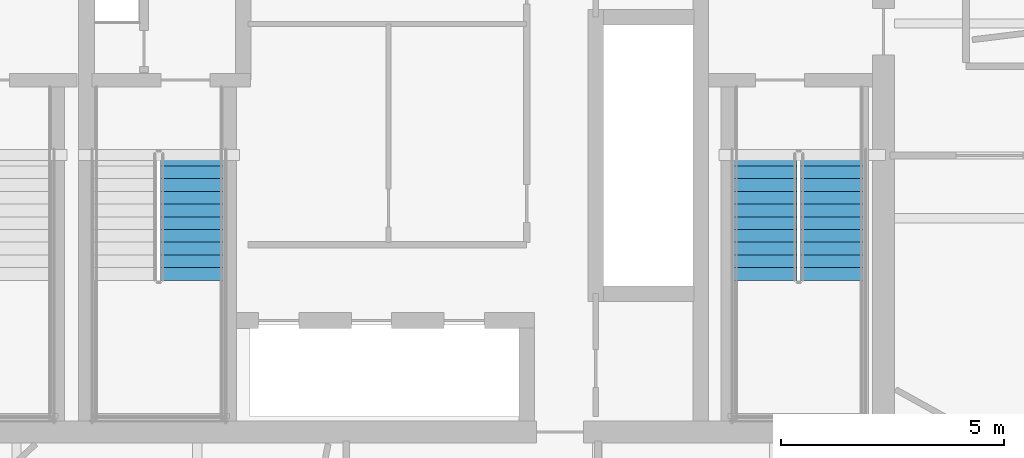
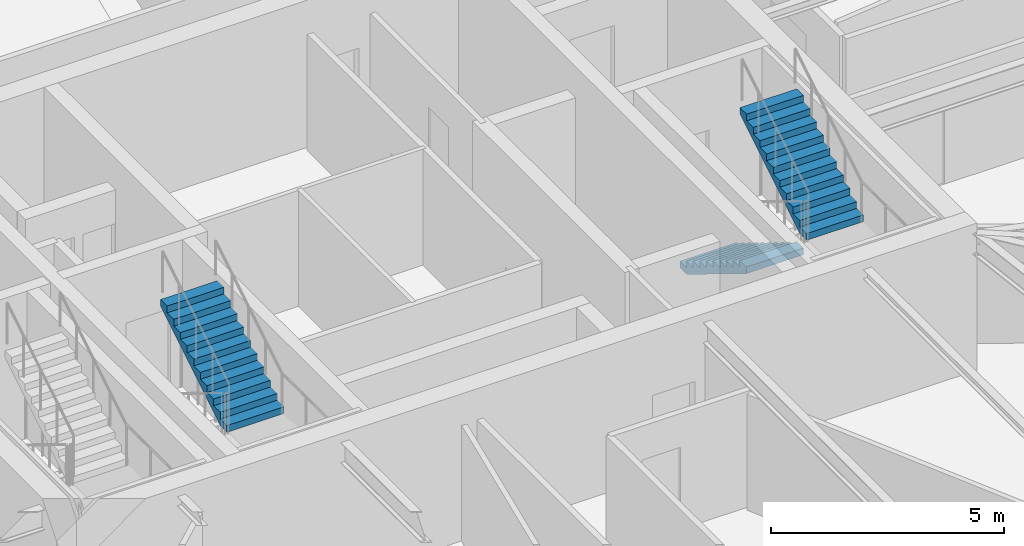
# One storey, part 18 of 22: 3 stair flights, 2 elements without a shape of their own.
"""IFC4 building model written with IfcOpenShell, lengths in metres."""

from ifc_helpers import new_model, si_unit, direction, frame, origin, place, context, subcontext, project, spatial, polyline, outline, extrude, material, type_object, element, aggregate, save


model = new_model("IFC4")

# Units and contexts
model_context = context("Model", 3, precision=1e-05, world=origin(), true_north=direction((0.0, 1.0)))
body_context = subcontext(model_context, "Body", "Model", "MODEL_VIEW")
ifc_project = project(units=[si_unit("LENGTHUNIT", "METRE"), si_unit("AREAUNIT", "SQUARE_METRE"), si_unit("VOLUMEUNIT", "CUBIC_METRE"), si_unit("PLANEANGLEUNIT", "RADIAN"), si_unit("MASSUNIT", "GRAM", prefix="KILO")], contexts=[model_context])

# Site, building, storey
site_placement = place(None, origin())
site = spatial("IfcSite", under=ifc_project, at=site_placement, CompositionType="ELEMENT")
building_placement = place(site_placement, origin())
building = spatial("IfcBuilding", under=site, at=building_placement, Name="Bramvorn Convention Spire", CompositionType="ELEMENT")
storey_placement = place(building_placement, frame((0.0, 0.0, 213.550048828125)))
storey = spatial("IfcBuildingStorey", under=building, at=storey_placement, Name="L54", CompositionType="ELEMENT", Elevation=213.550048828125)

# Stair, stair flights
ifc_material_1 = material(Name="Concrete C40/50 Precast Stair", Category="concrete")
stair_type = type_object("IfcStairType", Name="ST-TOWER-1550", PredefinedType="HALF_TURN_STAIR", material=ifc_material_1)
stair_1_placement = place(storey_placement, origin())
stair_1 = element("IfcStair", 1, at=stair_1_placement, inside=storey, type_object=stair_type, Name="L54 Protected Exit Stair ST2", PredefinedType="HALF_TURN_STAIR")
ifc_material_2 = material(Name="Concrete C40/50 Precast Stair Flight", Category="concrete")
stair_flight_type = type_object("IfcStairFlightType", Name="STF-TOWER-1550", PredefinedType="STRAIGHT", material=ifc_material_2)
stair_flight_1_placement = place(storey_placement, frame((46.35498046875, 25.050048828125, 0.0), z_axis=(0.0, 0.0, 1.0), x_axis=(0.0, -1.0, 0.0)))
stair_flight_1 = element("IfcStairFlight", 2, at=stair_flight_1_placement, type_object=stair_flight_type, Name="ST2 flight 1", NumberOfRisers=11, NumberOfTreads=10, PredefinedType="STRAIGHT", RiserHeight=0.175, TreadLength=0.285, context=body_context, shape_type="SweptSolid", body=[
    extrude(outline(polyline([(0.0, 0.0), (0.0, 0.175048828125), (0.284912109375, 0.175048828125), (0.284912109375, 0.35009765625), (0.570068359375, 0.35009765625), (0.570068359375, 0.52490234375), (0.85498046875, 0.52490234375), (0.85498046875, 0.699951171875), (1.139892578125, 0.699951171875), (1.139892578125, 0.875), (1.425048828125, 0.875), (1.425048828125, 1.050048828125), (1.7099609375, 1.050048828125), (1.7099609375, 1.22509765625), (1.9951171875, 1.22509765625), (1.9951171875, 1.39990234375), (2.280029296875, 1.39990234375), (2.280029296875, 1.574951171875), (2.56494140625, 1.574951171875), (2.56494140625, 1.75), (2.85009765625, 1.75), (2.85009765625, 1.925048828125), (2.85009765625, 1.573974609375), (0.286376953125, 0.0), (0.0, 0.0)])), frame((0.0, 0.705078125, 0.0), z_axis=(0.0, -1.0, 0.0), x_axis=(1.0, 0.0, 0.0)), (0.0, 0.0, 1.0), 1.409912109375),
])
stair_flight_2_placement = place(storey_placement, frame((47.844970703125, 22.199951171875, 1.925048828125), z_axis=(0.0, 0.0, 1.0), x_axis=(0.0, 1.0, 0.0)))
stair_flight_2 = element("IfcStairFlight", 3, at=stair_flight_2_placement, type_object=stair_flight_type, Name="ST2 flight 2", NumberOfRisers=11, NumberOfTreads=10, PredefinedType="STRAIGHT", RiserHeight=0.175, TreadLength=0.285, context=body_context, shape_type="SweptSolid", body=[
    extrude(outline(polyline([(0.0, 0.0), (0.0, 0.175048828125), (0.284912109375, 0.175048828125), (0.284912109375, 0.35009765625), (0.570068359375, 0.35009765625), (0.570068359375, 0.52490234375), (0.85498046875, 0.52490234375), (0.85498046875, 0.699951171875), (1.139892578125, 0.699951171875), (1.139892578125, 0.875), (1.425048828125, 0.875), (1.425048828125, 1.050048828125), (1.7099609375, 1.050048828125), (1.7099609375, 1.22509765625), (1.9951171875, 1.22509765625), (1.9951171875, 1.39990234375), (2.280029296875, 1.39990234375), (2.280029296875, 1.574951171875), (2.56494140625, 1.574951171875), (2.56494140625, 1.75), (2.85009765625, 1.75), (2.85009765625, 1.925048828125), (2.85009765625, 1.573974609375), (0.286376953125, 0.0), (0.0, 0.0)])), frame((0.0, 0.705078125, 0.0), z_axis=(0.0, -1.0, 0.0), x_axis=(1.0, 0.0, 0.0)), (0.0, 0.0, 1.0), 1.409912109375),
])
aggregate(stair_1, [stair_flight_1, stair_flight_2])

# Stair, stair flight
stair_2_placement = place(storey_placement, origin())
stair_2 = element("IfcStair", 4, at=stair_2_placement, inside=storey, type_object=stair_type, Name="L54 Protected Exit Stair ST3", PredefinedType="HALF_TURN_STAIR")
stair_flight_3_placement = place(storey_placement, frame((33.4951171875, 22.199951171875, 1.925048828125), z_axis=(0.0, 0.0, 1.0), x_axis=(0.0, 1.0, 0.0)))
stair_flight_3 = element("IfcStairFlight", 5, at=stair_flight_3_placement, type_object=stair_flight_type, Name="ST3 flight 2", NumberOfRisers=11, NumberOfTreads=10, PredefinedType="STRAIGHT", RiserHeight=0.175, TreadLength=0.285, context=body_context, shape_type="SweptSolid", body=[
    extrude(outline(polyline([(0.0, 0.0), (0.0, 0.175048828125), (0.284912109375, 0.175048828125), (0.284912109375, 0.35009765625), (0.570068359375, 0.35009765625), (0.570068359375, 0.52490234375), (0.85498046875, 0.52490234375), (0.85498046875, 0.699951171875), (1.139892578125, 0.699951171875), (1.139892578125, 0.875), (1.425048828125, 0.875), (1.425048828125, 1.050048828125), (1.7099609375, 1.050048828125), (1.7099609375, 1.22509765625), (1.9951171875, 1.22509765625), (1.9951171875, 1.39990234375), (2.280029296875, 1.39990234375), (2.280029296875, 1.574951171875), (2.56494140625, 1.574951171875), (2.56494140625, 1.75), (2.85009765625, 1.75), (2.85009765625, 1.925048828125), (2.85009765625, 1.573974609375), (0.286376953125, 0.0), (0.0, 0.0)])), frame((0.0, 0.705078125, 0.0), z_axis=(0.0, -1.0, 0.0), x_axis=(1.0, 0.0, 0.0)), (0.0, 0.0, 1.0), 1.409912109375),
])
aggregate(stair_2, [stair_flight_3])

save(model, "model.ifc")
